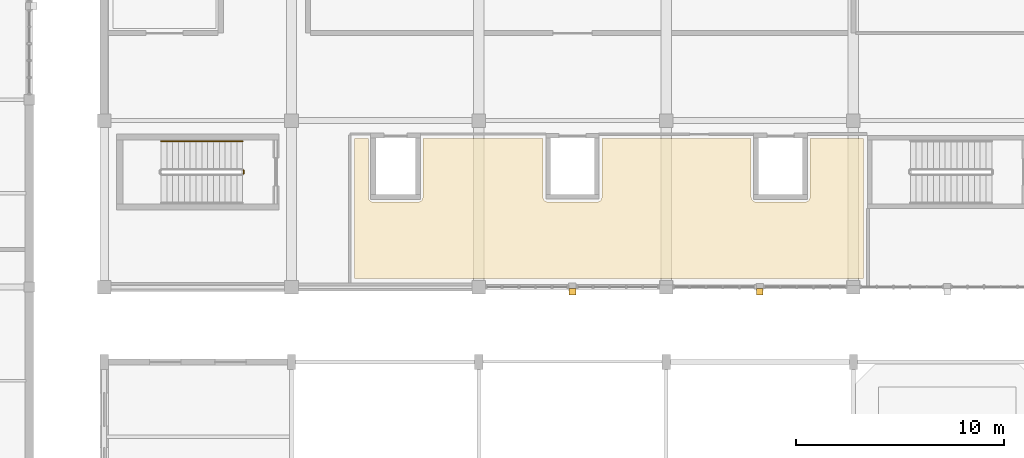
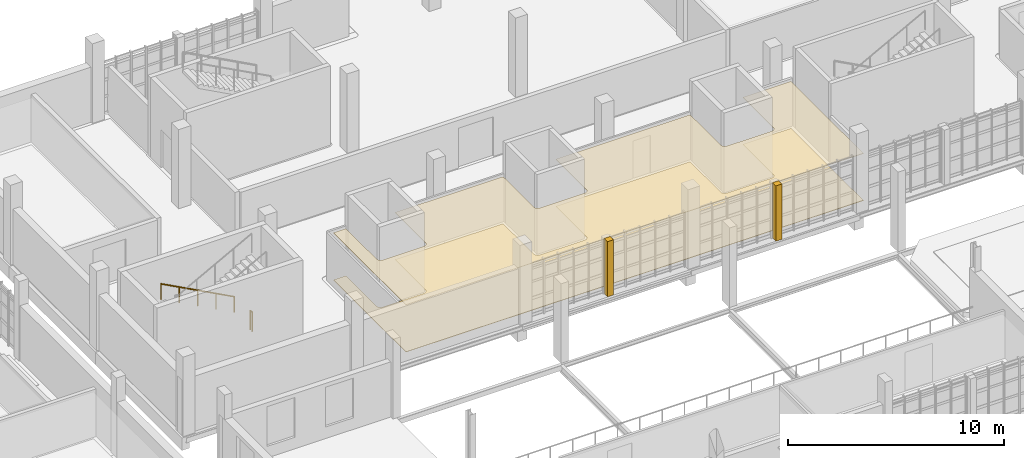
# One storey, part 113 of 125: 4 coverings, 2 railings.
"""IFC4 building model written with IfcOpenShell, lengths in metres."""

from ifc_helpers import new_model, si_unit, direction, frame, origin, origin_2d, place, context, subcontext, project, spatial, polyline, circle, outline, extrude, material, layer, layer_set, type_object, element, save


model = new_model("IFC4")

# Units and contexts
model_context = context("Model", 3, precision=1e-05, world=origin(), true_north=direction((0.0, 1.0)))
body_context = subcontext(model_context, "Body", "Model", "MODEL_VIEW")
ifc_project = project(units=[si_unit("LENGTHUNIT", "METRE"), si_unit("AREAUNIT", "SQUARE_METRE"), si_unit("VOLUMEUNIT", "CUBIC_METRE"), si_unit("PLANEANGLEUNIT", "RADIAN"), si_unit("MASSUNIT", "GRAM", prefix="KILO")], contexts=[model_context])

# Site, building, storey
site_placement = place(None, origin())
site = spatial("IfcSite", under=ifc_project, at=site_placement, CompositionType="ELEMENT")
building_placement = place(site_placement, origin())
building = spatial("IfcBuilding", under=site, at=building_placement, Name="Serraforn Aerial Cableway Station", CompositionType="ELEMENT")
storey_placement = place(building_placement, frame((0.0, 0.0, 4.5)))
storey = spatial("IfcBuildingStorey", under=building, at=storey_placement, Name="L01", CompositionType="ELEMENT", Elevation=4.5)

# Coverings
ifc_material_1 = material(Name="Fluted patinated bronze Art Deco pilaster cladding")
ifc_layer_1 = layer(ifc_material_1, 0.034912109375)
ifc_layer_set_1 = layer_set([ifc_layer_1], Name="Fluted patinated bronze Art Deco pilaster cladding")
covering_type_1 = type_object("IfcCoveringType", Name="COV-CLAD-BRZ", PredefinedType="CLADDING", material=ifc_layer_set_1)
covering_1_placement = place(storey_placement, origin())
element("IfcCovering", 1, at=covering_1_placement, inside=storey, type_object=covering_type_1, Name="Art Deco Bronze Pilaster Cladding CV-L01-S3", PredefinedType="CLADDING", context=body_context, shape_type="SweptSolid", body=[
    extrude(outline(polyline([(49.93994140625, 17.6201171875), (50.260009765625, 17.6201171875), (50.260009765625, 17.93994140625), (49.93994140625, 17.93994140625), (49.93994140625, 17.6201171875)])), origin(), (0.0, 0.0, 1.0), 3.1201171875),
])
covering_2_placement = place(storey_placement, origin())
element("IfcCovering", 2, at=covering_2_placement, inside=storey, type_object=covering_type_1, Name="Art Deco Bronze Pilaster Cladding CV-L01-S4", PredefinedType="CLADDING", context=body_context, shape_type="SweptSolid", body=[
    extrude(outline(polyline([(58.93994140625, 17.6201171875), (59.260009765625, 17.6201171875), (59.260009765625, 17.93994140625), (58.93994140625, 17.93994140625), (58.93994140625, 17.6201171875)])), origin(), (0.0, 0.0, 1.0), 3.1201171875),
])
ifc_material_2 = material(Name="Perforated acoustic mineral ceiling")
ifc_layer_2 = layer(ifc_material_2, 0.02490234375)
ifc_layer_set_2 = layer_set([ifc_layer_2], Name="Perforated acoustic mineral ceiling")
covering_type_2 = type_object("IfcCoveringType", Name="COV-CLG-AC", PredefinedType="CEILING", material=ifc_layer_set_2)
covering_3_placement = place(storey_placement, frame((0.0, 0.0, 2.659912109375)))
element("IfcCovering", 3, at=covering_3_placement, inside=storey, type_object=covering_type_2, Name="Suspended Ceiling L01-20", PredefinedType="CEILING", context=body_context, shape_type="SweptSolid", body=[
    extrude(outline(polyline([(39.6201171875, 18.419921875), (39.6201171875, 25.1298828125), (40.2900390625, 25.1298828125), (40.2900390625, 22.31005859375), (40.291015625, 22.288330078125), (40.294189453125, 22.26708984375), (40.299560546875, 22.24609375), (40.306640625, 22.225830078125), (40.31591796875, 22.206298828125), (40.3271484375, 22.187744140625), (40.33984375, 22.17041015625), (40.3544921875, 22.154296875), (40.370361328125, 22.139892578125), (40.3876953125, 22.127197265625), (40.40625, 22.115966796875), (40.42578125, 22.106689453125), (40.446044921875, 22.099609375), (40.467041015625, 22.09423828125), (40.48828125, 22.091064453125), (40.510009765625, 22.090087890625), (42.68994140625, 22.090087890625), (42.711669921875, 22.091064453125), (42.73291015625, 22.09423828125), (42.75390625, 22.099609375), (42.774169921875, 22.106689453125), (42.793701171875, 22.115966796875), (42.812255859375, 22.127197265625), (42.82958984375, 22.139892578125), (42.845703125, 22.154296875), (42.860107421875, 22.17041015625), (42.872802734375, 22.187744140625), (42.884033203125, 22.206298828125), (42.893310546875, 22.225830078125), (42.900390625, 22.24609375), (42.90576171875, 22.26708984375), (42.908935546875, 22.288330078125), (42.909912109375, 22.31005859375), (42.909912109375, 25.1298828125), (48.68994140625, 25.1298828125), (48.68994140625, 22.31005859375), (48.691162109375, 22.288330078125), (48.694091796875, 22.26708984375), (48.699462890625, 22.24609375), (48.706787109375, 22.225830078125), (48.716064453125, 22.206298828125), (48.72705078125, 22.187744140625), (48.739990234375, 22.17041015625), (48.75439453125, 22.154296875), (48.7705078125, 22.139892578125), (48.787841796875, 22.127197265625), (48.806396484375, 22.115966796875), (48.82568359375, 22.106689453125), (48.84619140625, 22.099609375), (48.8671875, 22.09423828125), (48.888427734375, 22.091064453125), (48.909912109375, 22.090087890625), (51.2900390625, 22.090087890625), (51.3115234375, 22.091064453125), (51.3330078125, 22.09423828125), (51.35400390625, 22.099609375), (51.374267578125, 22.106689453125), (51.393798828125, 22.115966796875), (51.412109375, 22.127197265625), (51.4296875, 22.139892578125), (51.445556640625, 22.154296875), (51.460205078125, 22.17041015625), (51.472900390625, 22.187744140625), (51.48388671875, 22.206298828125), (51.493408203125, 22.225830078125), (51.50048828125, 22.24609375), (51.505859375, 22.26708984375), (51.5087890625, 22.288330078125), (51.510009765625, 22.31005859375), (51.510009765625, 25.1298828125), (58.68994140625, 25.1298828125), (58.68994140625, 22.31005859375), (58.691162109375, 22.288330078125), (58.694091796875, 22.26708984375), (58.699462890625, 22.24609375), (58.706787109375, 22.225830078125), (58.716064453125, 22.206298828125), (58.72705078125, 22.187744140625), (58.739990234375, 22.17041015625), (58.75439453125, 22.154296875), (58.7705078125, 22.139892578125), (58.787841796875, 22.127197265625), (58.806396484375, 22.115966796875), (58.82568359375, 22.106689453125), (58.84619140625, 22.099609375), (58.8671875, 22.09423828125), (58.888427734375, 22.091064453125), (58.909912109375, 22.090087890625), (61.2900390625, 22.090087890625), (61.3115234375, 22.091064453125), (61.3330078125, 22.09423828125), (61.35400390625, 22.099609375), (61.374267578125, 22.106689453125), (61.393798828125, 22.115966796875), (61.412109375, 22.127197265625), (61.4296875, 22.139892578125), (61.445556640625, 22.154296875), (61.460205078125, 22.17041015625), (61.472900390625, 22.187744140625), (61.48388671875, 22.206298828125), (61.493408203125, 22.225830078125), (61.50048828125, 22.24609375), (61.505859375, 22.26708984375), (61.5087890625, 22.288330078125), (61.510009765625, 22.31005859375), (61.510009765625, 25.1298828125), (64.080078125, 25.1298828125), (64.080078125, 18.419921875), (39.6201171875, 18.419921875)])), origin(), (0.0, 0.0, 1.0), 0.025146484375),
])
ifc_material_3 = material(Name="Catalan geometric terrazzo tile flooring")
ifc_layer_3 = layer(ifc_material_3, 0.02490234375)
ifc_layer_set_3 = layer_set([ifc_layer_3], Name="Catalan geometric terrazzo tile flooring")
covering_type_3 = type_object("IfcCoveringType", Name="COV-FLR-TER", PredefinedType="FLOORING", material=ifc_layer_set_3)
covering_4_placement = place(storey_placement, origin())
element("IfcCovering", 4, at=covering_4_placement, inside=storey, type_object=covering_type_3, Name="Flooring L01-20", PredefinedType="FLOORING", context=body_context, shape_type="SweptSolid", body=[
    extrude(outline(polyline([(39.6201171875, 18.419921875), (39.6201171875, 25.1298828125), (40.2900390625, 25.1298828125), (40.2900390625, 22.31005859375), (40.291015625, 22.288330078125), (40.294189453125, 22.26708984375), (40.299560546875, 22.24609375), (40.306640625, 22.225830078125), (40.31591796875, 22.206298828125), (40.3271484375, 22.187744140625), (40.33984375, 22.17041015625), (40.3544921875, 22.154296875), (40.370361328125, 22.139892578125), (40.3876953125, 22.127197265625), (40.40625, 22.115966796875), (40.42578125, 22.106689453125), (40.446044921875, 22.099609375), (40.467041015625, 22.09423828125), (40.48828125, 22.091064453125), (40.510009765625, 22.090087890625), (42.68994140625, 22.090087890625), (42.711669921875, 22.091064453125), (42.73291015625, 22.09423828125), (42.75390625, 22.099609375), (42.774169921875, 22.106689453125), (42.793701171875, 22.115966796875), (42.812255859375, 22.127197265625), (42.82958984375, 22.139892578125), (42.845703125, 22.154296875), (42.860107421875, 22.17041015625), (42.872802734375, 22.187744140625), (42.884033203125, 22.206298828125), (42.893310546875, 22.225830078125), (42.900390625, 22.24609375), (42.90576171875, 22.26708984375), (42.908935546875, 22.288330078125), (42.909912109375, 22.31005859375), (42.909912109375, 25.1298828125), (48.68994140625, 25.1298828125), (48.68994140625, 22.31005859375), (48.691162109375, 22.288330078125), (48.694091796875, 22.26708984375), (48.699462890625, 22.24609375), (48.706787109375, 22.225830078125), (48.716064453125, 22.206298828125), (48.72705078125, 22.187744140625), (48.739990234375, 22.17041015625), (48.75439453125, 22.154296875), (48.7705078125, 22.139892578125), (48.787841796875, 22.127197265625), (48.806396484375, 22.115966796875), (48.82568359375, 22.106689453125), (48.84619140625, 22.099609375), (48.8671875, 22.09423828125), (48.888427734375, 22.091064453125), (48.909912109375, 22.090087890625), (51.2900390625, 22.090087890625), (51.3115234375, 22.091064453125), (51.3330078125, 22.09423828125), (51.35400390625, 22.099609375), (51.374267578125, 22.106689453125), (51.393798828125, 22.115966796875), (51.412109375, 22.127197265625), (51.4296875, 22.139892578125), (51.445556640625, 22.154296875), (51.460205078125, 22.17041015625), (51.472900390625, 22.187744140625), (51.48388671875, 22.206298828125), (51.493408203125, 22.225830078125), (51.50048828125, 22.24609375), (51.505859375, 22.26708984375), (51.5087890625, 22.288330078125), (51.510009765625, 22.31005859375), (51.510009765625, 25.1298828125), (58.68994140625, 25.1298828125), (58.68994140625, 22.31005859375), (58.691162109375, 22.288330078125), (58.694091796875, 22.26708984375), (58.699462890625, 22.24609375), (58.706787109375, 22.225830078125), (58.716064453125, 22.206298828125), (58.72705078125, 22.187744140625), (58.739990234375, 22.17041015625), (58.75439453125, 22.154296875), (58.7705078125, 22.139892578125), (58.787841796875, 22.127197265625), (58.806396484375, 22.115966796875), (58.82568359375, 22.106689453125), (58.84619140625, 22.099609375), (58.8671875, 22.09423828125), (58.888427734375, 22.091064453125), (58.909912109375, 22.090087890625), (61.2900390625, 22.090087890625), (61.3115234375, 22.091064453125), (61.3330078125, 22.09423828125), (61.35400390625, 22.099609375), (61.374267578125, 22.106689453125), (61.393798828125, 22.115966796875), (61.412109375, 22.127197265625), (61.4296875, 22.139892578125), (61.445556640625, 22.154296875), (61.460205078125, 22.17041015625), (61.472900390625, 22.187744140625), (61.48388671875, 22.206298828125), (61.493408203125, 22.225830078125), (61.50048828125, 22.24609375), (61.505859375, 22.26708984375), (61.5087890625, 22.288330078125), (61.510009765625, 22.31005859375), (61.510009765625, 25.1298828125), (64.080078125, 25.1298828125), (64.080078125, 18.419921875), (39.6201171875, 18.419921875)])), origin(), (0.0, 0.0, 1.0), 0.02490234375),
])

# Railings
ifc_material_4 = material(Name="Patinated bronze stair guardrail")
ifc_layer_4 = layer(ifc_material_4, 0.050048828125)
ifc_layer_set_4 = layer_set([ifc_layer_4], Name="Patinated bronze stair guardrail")
railing_type_1 = type_object("IfcRailingType", Name="RL-STR-GRD", PredefinedType="GUARDRAIL", material=ifc_layer_set_4)
railing_1_placement = place(storey_placement, frame((34.300048828125, 23.610107421875, 0.0)))
element("IfcRailing", 5, at=railing_1_placement, inside=storey, type_object=railing_type_1, Name="L01 ST-03 stair guard 4", PredefinedType="GUARDRAIL", context=body_context, shape_type="SweptSolid", body=[
    extrude(circle(Radius=0.02392578125, at=origin_2d()), frame((0.0, 0.0, 1.076171875), z_axis=(0.0, -1.0, 0.0), x_axis=(1.0, 0.0, 0.0)), (0.0, 0.0, 1.0), 0.16015625),
    extrude(circle(Radius=0.02099609375, at=origin_2d()), origin(), (0.0, 0.0, 1.0), 1.052001953125),
    extrude(circle(Radius=0.02099609375, at=origin_2d()), frame((0.0, -0.16015625, 0.0)), (0.0, 0.0, 1.0), 1.052001953125),
])
ifc_material_5 = material(Name="Brushed bronze tubular handrail")
ifc_layer_5 = layer(ifc_material_5, 0.048095703125)
ifc_layer_set_5 = layer_set([ifc_layer_5], Name="Brushed bronze tubular handrail")
railing_type_2 = type_object("IfcRailingType", Name="RL-STR-HDR", PredefinedType="HANDRAIL", material=ifc_layer_set_5)
railing_2_placement = place(storey_placement, frame((34.25, 25.010009765625, 0.14990234375)))
element("IfcRailing", 6, at=railing_2_placement, inside=storey, type_object=railing_type_2, Name="L01 ST-03 stair handrail 1", PredefinedType="HANDRAIL", context=body_context, shape_type="SweptSolid", body=[
    extrude(circle(Radius=0.02392578125, at=origin_2d()), frame((0.0, 0.0, 0.8759765625), z_axis=(-0.881466911329, 0.0, 0.472245787945), x_axis=(0.0, -1.0, 0.0)), (0.0, 0.0, 1.0), 4.447021484375),
    extrude(circle(Radius=0.02099609375, at=origin_2d()), origin(), (0.0, 0.0, 1.0), 0.851806640625),
    extrude(circle(Radius=0.02099609375, at=origin_2d()), frame((-0.97998046875, 0.0, 0.52490234375)), (0.0, 0.0, 1.0), 0.851806640625),
    extrude(circle(Radius=0.02099609375, at=origin_2d()), frame((-1.9599609375, 0.0, 1.050048828125)), (0.0, 0.0, 1.0), 0.851806640625),
    extrude(circle(Radius=0.02099609375, at=origin_2d()), frame((-2.93994140625, 0.0, 1.5751953125)), (0.0, 0.0, 1.0), 0.851806640625),
    extrude(circle(Radius=0.02099609375, at=origin_2d()), frame((-3.919921875, 0.0, 2.10009765625)), (0.0, 0.0, 1.0), 0.851806640625),
])

save(model, "model.ifc")
